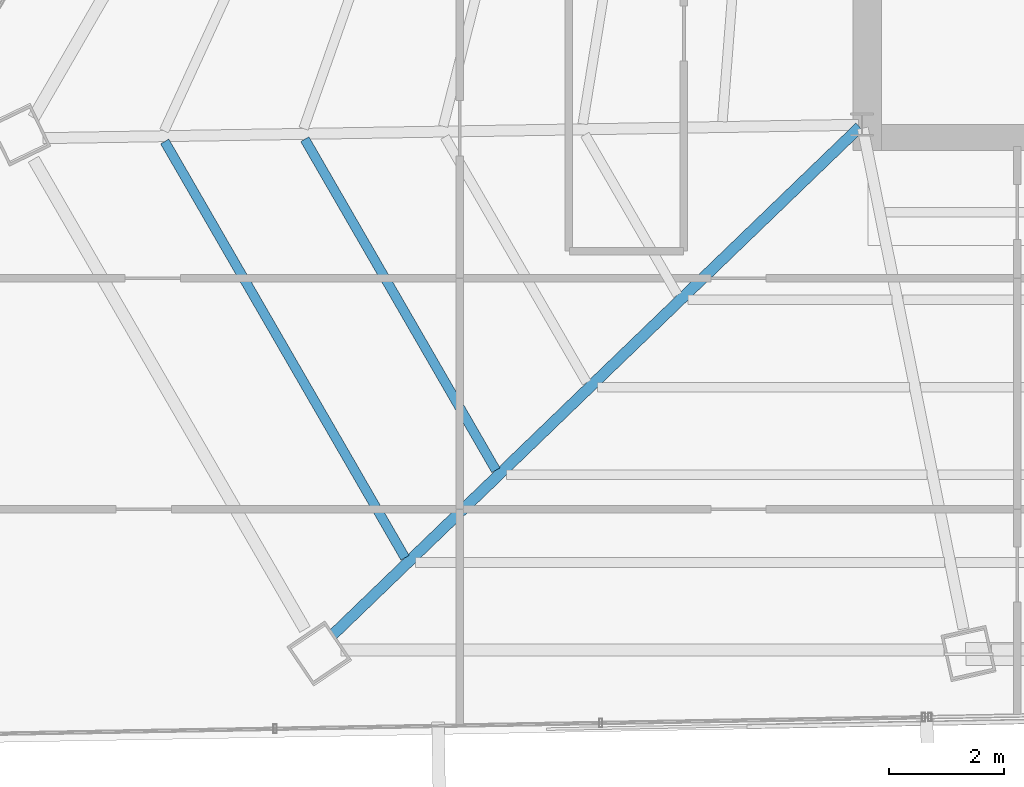
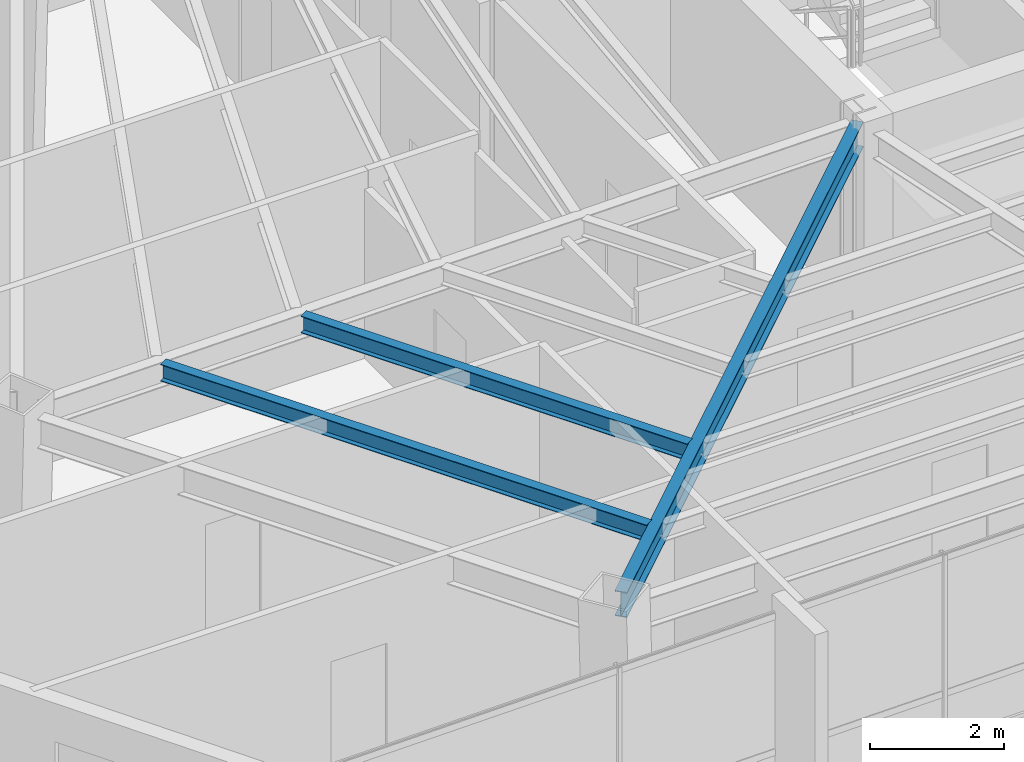
# One storey, part 7 of 44: 3 beams.
"""IFC4 building model written with IfcOpenShell, lengths in metres."""

from ifc_helpers import new_model, si_unit, direction, frame, origin, origin_2d, place, context, subcontext, project, spatial, i_section, extrude, source, transform, mapped, material, material_profile, profile_set, type_object, type_shapes, element, save


model = new_model("IFC4")

# Units and contexts
model_context = context("Model", 3, precision=1e-05, world=origin(), true_north=direction((0.0, 1.0)))
body_context = subcontext(model_context, "Body", "Model", "MODEL_VIEW")
ifc_project = project(units=[si_unit("LENGTHUNIT", "METRE"), si_unit("AREAUNIT", "SQUARE_METRE"), si_unit("VOLUMEUNIT", "CUBIC_METRE"), si_unit("PLANEANGLEUNIT", "RADIAN"), si_unit("MASSUNIT", "GRAM", prefix="KILO")], contexts=[model_context])

# Site, building, storey
site_placement = place(None, origin())
site = spatial("IfcSite", under=ifc_project, at=site_placement, CompositionType="ELEMENT")
building_placement = place(site_placement, origin())
building = spatial("IfcBuilding", under=site, at=building_placement, Name="Caelisora Broadcast Tower", CompositionType="ELEMENT")
storey_placement = place(building_placement, frame((0.0, 0.0, 198.64990234375)))
storey = spatial("IfcBuildingStorey", under=building, at=storey_placement, Name="L52", CompositionType="ELEMENT", Elevation=198.64990234375)

# Beams
ifc_material = material(Name="Steel Grade 350 (AS/NZS 3679.1)", Category="steel")
ifc_material_profile_1 = material_profile(ifc_material, i_section(OverallWidth=0.19091796875, OverallDepth=0.46044921875, WebThickness=0.010009765625, FlangeThickness=0.01611328125, at=origin_2d()), Name="Steel Grade 350 (AS/NZS 3679.1)")
ifc_profile_set_1 = profile_set([ifc_material_profile_1], Name="Steel Grade 350 (AS/NZS 3679.1)")
beam_type_1 = type_object("IfcBeamType", Name="PG06", PredefinedType="BEAM", material=ifc_profile_set_1)
shared_shape_1 = source(origin(), body_context, "Body", "SweptSolid", [
    extrude(i_section(OverallWidth=0.19091796875, OverallDepth=0.46044921875, WebThickness=0.010009765625, FlangeThickness=0.01611328125, at=origin_2d()), origin(), (0.0, 0.0, 1.0), 12.736083984375),
])
type_shapes(beam_type_1, [shared_shape_1])
beam_1_placement = place(storey_placement, frame((30.456787109375, 17.3583984375, 3.169921875), z_axis=(-0.72009704759, -0.693873361683, 0.0), x_axis=(0.693873361683, -0.72009704759, 0.0)))
element("IfcBeam", 1, at=beam_1_placement, inside=storey, type_object=beam_type_1, Name="L52 beam PG06", PredefinedType="BEAM", context=body_context, shape_type="MappedRepresentation", body=[
    mapped(shared_shape_1, transform((0.0, 0.0, 0.0), scale=1.0)),
])
ifc_material_profile_2 = material_profile(ifc_material, i_section(OverallWidth=0.166015625, OverallDepth=0.30712890625, WebThickness=0.006591796875, FlangeThickness=0.01171875, at=origin_2d()), Name="Steel Grade 350 (AS/NZS 3679.1)")
ifc_profile_set_2 = profile_set([ifc_material_profile_2], Name="Steel Grade 350 (AS/NZS 3679.1)")
beam_type_2 = type_object("IfcBeamType", Name="SB03", PredefinedType="JOIST", material=ifc_profile_set_2)
shared_shape_2 = source(origin(), body_context, "Body", "SweptSolid", [
    extrude(i_section(OverallWidth=0.166015625, OverallDepth=0.30712890625, WebThickness=0.006591796875, FlangeThickness=0.01171875, at=origin_2d()), origin(), (0.0, 0.0, 1.0), 6.649658203125),
])
beam_2_placement = place(storey_placement, frame((20.80419921875, 17.148193359375, 3.24658203125), z_axis=(0.499985181294, -0.866033959199, 0.0), x_axis=(0.866033959199, 0.499985181294, 0.0)))
element("IfcBeam", 2, at=beam_2_placement, inside=storey, type_object=beam_type_2, Name="L52 beam SB03", PredefinedType="JOIST", context=body_context, shape_type="MappedRepresentation", body=[
    mapped(shared_shape_2, transform((0.0, 0.0, 0.0), scale=1.0)),
])
shared_shape_3 = source(origin(), body_context, "Body", "SweptSolid", [
    extrude(i_section(OverallWidth=0.166015625, OverallDepth=0.30712890625, WebThickness=0.006591796875, FlangeThickness=0.01171875, at=origin_2d()), origin(), (0.0, 0.0, 1.0), 8.3623046875),
])
type_shapes(beam_type_2, [shared_shape_2, shared_shape_3])
beam_3_placement = place(storey_placement, frame((18.36669921875, 17.108154296875, 3.24658203125), z_axis=(0.500023187203, -0.866012016232, 0.0), x_axis=(0.866012016232, 0.500023187203, 0.0)))
element("IfcBeam", 3, at=beam_3_placement, inside=storey, type_object=beam_type_2, Name="L52 beam SB03", PredefinedType="JOIST", context=body_context, shape_type="MappedRepresentation", body=[
    mapped(shared_shape_3, transform((0.0, 0.0, 0.0), scale=1.0)),
])

save(model, "model.ifc")
